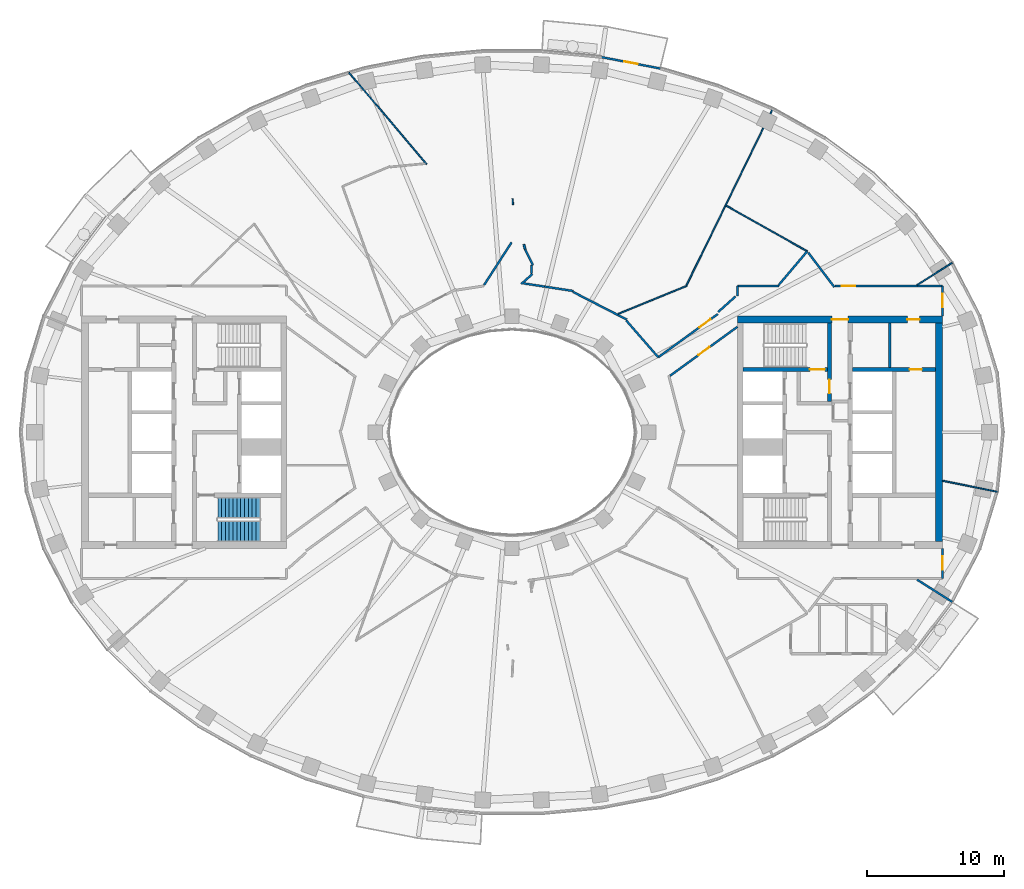
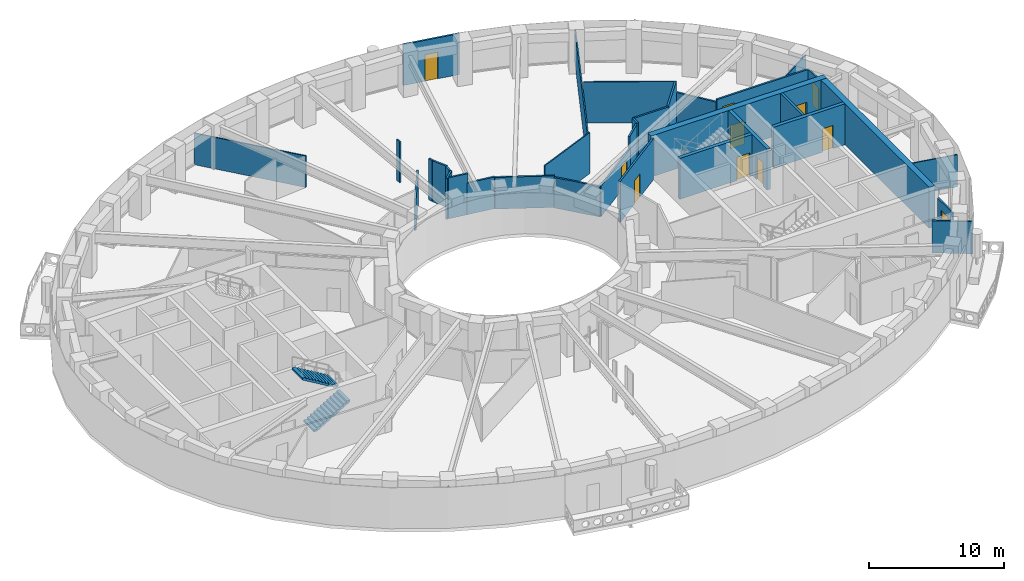
# One storey, part 7 of 17: 34 walls, 11 doors, 2 stair flights, 11 openings, 1 element without a shape of its own.
"""IFC4 building model written with IfcOpenShell, lengths in metres."""

from ifc_helpers import new_model, si_unit, direction, frame, frame_2d, origin, place, context, subcontext, project, spatial, polyline, rectangle, outline, extrude, material, layer, layer_set, type_object, element, fill, aggregate, save


model = new_model("IFC4")

# Units and contexts
model_context = context("Model", 3, precision=1e-05, world=origin(), true_north=direction((0.0, 1.0)))
body_context = subcontext(model_context, "Body", "Model", "MODEL_VIEW")
ifc_project = project(units=[si_unit("LENGTHUNIT", "METRE"), si_unit("AREAUNIT", "SQUARE_METRE"), si_unit("VOLUMEUNIT", "CUBIC_METRE"), si_unit("PLANEANGLEUNIT", "RADIAN"), si_unit("MASSUNIT", "GRAM", prefix="KILO")], contexts=[model_context])

# Site, building, storey
site_placement = place(None, origin())
site = spatial("IfcSite", under=ifc_project, at=site_placement, CompositionType="ELEMENT")
building_placement = place(site_placement, origin())
building = spatial("IfcBuilding", under=site, at=building_placement, Name="Noorbagh Ring Tower", CompositionType="ELEMENT")
storey_placement = place(building_placement, frame((0.0, 0.0, 190.0)))
storey = spatial("IfcBuildingStorey", under=building, at=storey_placement, Name="L44", CompositionType="ELEMENT", Elevation=190.0)

# Wall
ifc_material_1 = material(Name="Gypsum board on steel studs", Category="steel")
ifc_layer_1 = layer(ifc_material_1, 0.199951171875)
ifc_layer_set_1 = layer_set([ifc_layer_1], Name="Gypsum board on steel studs")
wall_type_1 = type_object("IfcWallType", Name="CORE-PARTITION-200", PredefinedType="PARTITIONING", material=ifc_layer_set_1)
wall_1_placement = place(storey_placement, frame((27.64990234375, 4.75, 0.0), z_axis=(0.0, 0.0, 1.0), x_axis=(0.0, 1.0, 0.0)))
element("IfcWall", 1, at=wall_1_placement, inside=storey, type_object=wall_type_1, Name="Core partition E", PredefinedType="PARTITIONING", context=body_context, shape_type="SweptSolid", body=[
    extrude(rectangle(XDim=3.25, YDim=0.199951171875, at=frame_2d((1.625, 0.0))), origin(), (0.0, 0.0, 1.0), 3.699951171875),
])

# Wall, opening, door
ifc_material_2 = material(Name="Concrete C60/75", Category="concrete")
ifc_layer_2 = layer(ifc_material_2, 0.300048828125)
ifc_layer_set_2 = layer_set([ifc_layer_2], Name="Concrete C60/75")
wall_type_2 = type_object("IfcWallType", Name="CORE-WALL-300-C60-75-EI240", PredefinedType="SHEAR", material=ifc_layer_set_2)
wall_2_placement = place(storey_placement, frame((24.89990234375, 4.60009765625, 0.0), z_axis=(0.0, 0.0, 1.0), x_axis=(1.0, 0.0, 0.0)))
wall_2 = element("IfcWall", 2, at=wall_2_placement, inside=storey, type_object=wall_type_2, Name="Core wall E", PredefinedType="SHEAR", context=body_context, shape_type="SweptSolid", body=[
    extrude(rectangle(XDim=6.10009765625, YDim=0.300048828125, at=frame_2d((3.050048828125, 0.0))), origin(), (0.0, 0.0, 1.0), 3.699951171875),
])
opening_1_placement = place(wall_2_placement, frame((4.199951171875, 0.0, 0.0)))
opening_1 = element("IfcOpeningElement", 3, at=opening_1_placement, cuts=wall_2, Name="Opening L44-CE18", PredefinedType="OPENING", context=body_context, shape_type="SweptSolid", body=[
    extrude(rectangle(XDim=0.89990234375, YDim=2.10009765625, at=frame_2d((0.449951171875, 1.050048828125))), frame((0.0, 0.16015625, 0.0), z_axis=(0.0, -1.0, 0.0), x_axis=(1.0, 0.0, 0.0)), (0.0, 0.0, 1.0), 0.320068359375),
])
ifc_material_3 = material(Name="Steel door leaf", Category="steel")
door_type_1 = type_object("IfcDoorType", Name="CORE-DOOR-DROOM", OperationType="SINGLE_SWING_LEFT", PredefinedType="DOOR", material=ifc_material_3)
door_1_placement = place(opening_1_placement, origin())
door_1 = element("IfcDoor", 4, at=door_1_placement, inside=storey, type_object=door_type_1, Name="Core room door L44-CE18", OperationType="SINGLE_SWING_RIGHT", OverallHeight=2.10009765625, OverallWidth=0.89990234375, PredefinedType="DOOR", context=body_context, shape_type="SweptSolid", body=[
    extrude(rectangle(XDim=0.89990234375, YDim=2.10009765625, at=frame_2d((0.449951171875, 1.050048828125))), frame((0.0, 0.02490234375, 0.0), z_axis=(0.0, -1.0, 0.0), x_axis=(1.0, 0.0, 0.0)), (0.0, 0.0, 1.0), 0.050048828125),
])
fill(opening_1, door_1)

wall_3_placement = place(storey_placement, frame((23.22998046875, 2.25, 0.0), z_axis=(0.0, 0.0, 1.0), x_axis=(0.0, 1.0, 0.0)))
wall_3 = element("IfcWall", 5, at=wall_3_placement, inside=storey, type_object=wall_type_2, Name="Core wall E", PredefinedType="SHEAR", context=body_context, shape_type="SweptSolid", body=[
    extrude(rectangle(XDim=5.75, YDim=0.300048828125, at=frame_2d((2.875, 0.0))), origin(), (0.0, 0.0, 1.0), 3.699951171875),
])
opening_2_placement = place(wall_3_placement, frame((0.60009765625, 0.0, 0.0)))
opening_2 = element("IfcOpeningElement", 6, at=opening_2_placement, cuts=wall_3, Name="Opening L44-CE10", PredefinedType="OPENING", context=body_context, shape_type="SweptSolid", body=[
    extrude(rectangle(XDim=1.0, YDim=2.10009765625, at=frame_2d((0.5, 1.050048828125))), frame((0.0, 0.16015625, 0.0), z_axis=(0.0, -1.0, 0.0), x_axis=(1.0, 0.0, 0.0)), (0.0, 0.0, 1.0), 0.320068359375),
])
ifc_material_4 = material(Name="Steel door leaf", Category="steel")
door_type_2 = type_object("IfcDoorType", Name="CORE-DOOR-DVEST", OperationType="SINGLE_SWING_LEFT", PredefinedType="DOOR", material=ifc_material_4)
door_2_placement = place(opening_2_placement, origin())
door_2 = element("IfcDoor", 7, at=door_2_placement, inside=storey, type_object=door_type_2, Name="Stair vestibule door L44-CE10", OperationType="SINGLE_SWING_RIGHT", OverallHeight=2.10009765625, OverallWidth=1.0, PredefinedType="DOOR", context=body_context, shape_type="SweptSolid", body=[
    extrude(rectangle(XDim=1.0, YDim=2.10009765625, at=frame_2d((0.5, 1.050048828125))), frame((0.0, 0.02490234375, 0.0), z_axis=(0.0, -1.0, 0.0), x_axis=(1.0, 0.0, 0.0)), (0.0, 0.0, 1.0), 0.050048828125),
])
fill(opening_2, door_2)

wall_4_placement = place(storey_placement, frame((16.89990234375, 4.60009765625, 0.0), z_axis=(0.0, 0.0, 1.0), x_axis=(1.0, 0.0, 0.0)))
wall_4 = element("IfcWall", 8, at=wall_4_placement, inside=storey, type_object=wall_type_2, Name="Core wall E", PredefinedType="SHEAR", context=body_context, shape_type="SweptSolid", body=[
    extrude(rectangle(XDim=6.18017578125, YDim=0.300048828125, at=frame_2d((3.090087890625, 0.0))), origin(), (0.0, 0.0, 1.0), 3.699951171875),
])
opening_3_placement = place(wall_4_placement, frame((4.89990234375, 0.0, 0.0)))
opening_3 = element("IfcOpeningElement", 9, at=opening_3_placement, cuts=wall_4, Name="Opening L44-CE07", PredefinedType="OPENING", context=body_context, shape_type="SweptSolid", body=[
    extrude(rectangle(XDim=1.10009765625, YDim=2.10009765625, at=frame_2d((0.550048828125, 1.050048828125))), frame((0.0, 0.16015625, 0.0), z_axis=(0.0, -1.0, 0.0), x_axis=(1.0, 0.0, 0.0)), (0.0, 0.0, 1.0), 0.320068359375),
])
ifc_material_5 = material(Name="Steel door leaf", Category="steel")
door_type_3 = type_object("IfcDoorType", Name="CORE-DOOR-DSTAIR", OperationType="SINGLE_SWING_LEFT", PredefinedType="DOOR", material=ifc_material_5)
door_3_placement = place(opening_3_placement, origin())
door_3 = element("IfcDoor", 10, at=door_3_placement, inside=storey, type_object=door_type_3, Name="Stair door ST3 L44-CE07", OperationType="SINGLE_SWING_LEFT", OverallHeight=2.10009765625, OverallWidth=1.10009765625, PredefinedType="DOOR", context=body_context, shape_type="SweptSolid", body=[
    extrude(rectangle(XDim=1.10009765625, YDim=2.10009765625, at=frame_2d((0.550048828125, 1.050048828125))), frame((0.0, 0.02490234375, 0.0), z_axis=(0.0, -1.0, 0.0), x_axis=(1.0, 0.0, 0.0)), (0.0, 0.0, 1.0), 0.050048828125),
])
fill(opening_3, door_3)

# Wall, openings, doors
ifc_material_6 = material(Name="Concrete C60/75", Category="concrete")
ifc_layer_3 = layer(ifc_material_6, 0.5)
ifc_layer_set_3 = layer_set([ifc_layer_3], Name="Concrete C60/75")
wall_type_3 = type_object("IfcWallType", Name="CORE-WALL-500-C60-75-EI240", PredefinedType="SHEAR", material=ifc_layer_set_3)
wall_5_placement = place(storey_placement, frame((16.5, 8.25, 0.0), z_axis=(0.0, 0.0, 1.0), x_axis=(1.0, 0.0, 0.0)))
wall_5 = element("IfcWall", 11, at=wall_5_placement, inside=storey, type_object=wall_type_3, Name="Core wall E", PredefinedType="SHEAR", context=body_context, shape_type="SweptSolid", body=[
    extrude(rectangle(XDim=15.0, YDim=0.5, at=frame_2d((7.5, 0.0))), origin(), (0.0, 0.0, 1.0), 3.699951171875),
])
opening_4_placement = place(wall_5_placement, frame((6.89990234375, 0.0, 0.0)))
opening_4 = element("IfcOpeningElement", 12, at=opening_4_placement, cuts=wall_5, Name="Opening L44-CE11", PredefinedType="OPENING", context=body_context, shape_type="SweptSolid", body=[
    extrude(rectangle(XDim=1.199951171875, YDim=2.10009765625, at=frame_2d((0.60009765625, 1.050048828125))), frame((0.0, 0.260009765625, 0.0), z_axis=(0.0, -1.0, 0.0), x_axis=(1.0, 0.0, 0.0)), (0.0, 0.0, 1.0), 0.52001953125),
])
opening_5_placement = place(wall_5_placement, frame((12.425048828125, 0.0, 0.0)))
opening_5 = element("IfcOpeningElement", 13, at=opening_5_placement, cuts=wall_5, Name="Opening L44-CE14", PredefinedType="OPENING", context=body_context, shape_type="SweptSolid", body=[
    extrude(rectangle(XDim=0.89990234375, YDim=2.10009765625, at=frame_2d((0.449951171875, 1.050048828125))), frame((0.0, 0.260009765625, 0.0), z_axis=(0.0, -1.0, 0.0), x_axis=(1.0, 0.0, 0.0)), (0.0, 0.0, 1.0), 0.52001953125),
])
door_4_placement = place(opening_5_placement, origin())
door_4 = element("IfcDoor", 14, at=door_4_placement, inside=storey, type_object=door_type_1, Name="Core room door L44-CE14", OperationType="SINGLE_SWING_LEFT", OverallHeight=2.10009765625, OverallWidth=0.89990234375, PredefinedType="DOOR", context=body_context, shape_type="SweptSolid", body=[
    extrude(rectangle(XDim=0.89990234375, YDim=2.10009765625, at=frame_2d((0.449951171875, 1.050048828125))), frame((0.0, 0.02490234375, 0.0), z_axis=(0.0, -1.0, 0.0), x_axis=(1.0, 0.0, 0.0)), (0.0, 0.0, 1.0), 0.050048828125),
])
fill(opening_5, door_4)
ifc_material_7 = material(Name="Steel door leaf", Category="steel")
door_type_4 = type_object("IfcDoorType", Name="CORE-DOOR-PORT", OperationType="DOUBLE_DOOR_DOUBLE_SWING", PredefinedType="DOOR", material=ifc_material_7)
door_5_placement = place(opening_4_placement, origin())
door_5 = element("IfcDoor", 15, at=door_5_placement, inside=storey, type_object=door_type_4, Name="Core entrance door L44-CE11", OperationType="DOUBLE_DOOR_DOUBLE_SWING", OverallHeight=2.10009765625, OverallWidth=1.199951171875, PredefinedType="DOOR", context=body_context, shape_type="SweptSolid", body=[
    extrude(rectangle(XDim=1.199951171875, YDim=2.10009765625, at=frame_2d((0.60009765625, 1.050048828125))), frame((0.0, 0.02490234375, 0.0), z_axis=(0.0, -1.0, 0.0), x_axis=(1.0, 0.0, 0.0)), (0.0, 0.0, 1.0), 0.050048828125),
])
fill(opening_4, door_5)

# Walls
wall_6_placement = place(storey_placement, frame((31.25, -8.0, 0.0), z_axis=(0.0, 0.0, 1.0), x_axis=(0.0, 1.0, 0.0)))
element("IfcWall", 16, at=wall_6_placement, inside=storey, type_object=wall_type_3, Name="Core wall E", PredefinedType="SHEAR", context=body_context, shape_type="SweptSolid", body=[
    extrude(rectangle(XDim=16.0, YDim=0.5, at=frame_2d((8.0, 0.0))), origin(), (0.0, 0.0, 1.0), 3.699951171875),
])
ifc_material_8 = material(Name="Gypsum board on steel studs", Category="steel")
ifc_layer_4 = layer(ifc_material_8, 0.14990234375)
ifc_layer_set_4 = layer_set([ifc_layer_4], Name="Gypsum board on steel studs")
wall_type_4 = type_object("IfcWallType", Name="CORRIDOR PARTITION 150 EI 30", PredefinedType="PARTITIONING", material=ifc_layer_set_4)
wall_7_placement = place(storey_placement, frame((-2.0439453125, 10.780029296875, 0.0), z_axis=(0.0, 0.0, 1.0), x_axis=(0.542215200434, 0.840239654157, 0.0)))
element("IfcWall", 17, at=wall_7_placement, inside=storey, type_object=wall_type_4, Name="L44/wall/P30", PredefinedType="PARTITIONING", context=body_context, shape_type="SweptSolid", body=[
    extrude(rectangle(XDim=3.71435546875, YDim=0.14990234375, at=frame_2d((1.857177734375, 0.0))), origin(), (0.0, 0.0, 1.0), 2.85009765625),
])
wall_8_placement = place(storey_placement, frame((0.673095703125, 10.85400390625, 0.0), z_axis=(0.0, 0.0, 1.0), x_axis=(0.748534116479, 0.663096279937, 0.0)))
element("IfcWall", 18, at=wall_8_placement, inside=storey, type_object=wall_type_4, Name="L44/wall/P37", PredefinedType="PARTITIONING", context=body_context, shape_type="SweptSolid", body=[
    extrude(rectangle(XDim=1.088623046875, YDim=0.14990234375, at=frame_2d((0.54443359375, 0.0))), origin(), (0.0, 0.0, 1.0), 3.699951171875),
])
wall_9_placement = place(storey_placement, frame((0.844970703125, 10.89990234375, 0.0), z_axis=(0.0, 0.0, 1.0), x_axis=(0.988539396125, -0.15096311572, 0.0)))
element("IfcWall", 19, at=wall_9_placement, inside=storey, type_object=wall_type_4, Name="L44/wall/P38", PredefinedType="PARTITIONING", context=body_context, shape_type="SweptSolid", body=[
    extrude(rectangle(XDim=1.542724609375, YDim=0.14990234375, at=frame_2d((0.771484375, 0.0))), origin(), (0.0, 0.0, 1.0), 3.699951171875),
])
wall_10_placement = place(storey_placement, frame((0.875, 13.7509765625, 0.0), z_axis=(0.0, 0.0, 1.0), x_axis=(0.239631306226, -0.970863964249, 0.0)))
element("IfcWall", 20, at=wall_10_placement, inside=storey, type_object=wall_type_4, Name="L44/wall/P39", PredefinedType="PARTITIONING", context=body_context, shape_type="SweptSolid", body=[
    extrude(rectangle(XDim=0.3759765625, YDim=0.14990234375, at=frame_2d((0.18798828125, 0.0))), origin(), (0.0, 0.0, 1.0), 3.699951171875),
])
wall_11_placement = place(storey_placement, frame((0.97705078125, 13.35302734375, 0.0), z_axis=(0.0, 0.0, 1.0), x_axis=(0.439698529064, -0.898145424494, 0.0)))
element("IfcWall", 21, at=wall_11_placement, inside=storey, type_object=wall_type_4, Name="L44/wall/P40", PredefinedType="PARTITIONING", context=body_context, shape_type="SweptSolid", body=[
    extrude(rectangle(XDim=1.237060546875, YDim=0.14990234375, at=frame_2d((0.61865234375, 0.0))), origin(), (0.0, 0.0, 1.0), 3.699951171875),
])
wall_12_placement = place(storey_placement, frame((1.416015625, 11.612060546875, 0.0), z_axis=(0.0, 0.0, 1.0), x_axis=(0.047263226181, 0.998882469288, 0.0)))
element("IfcWall", 22, at=wall_12_placement, inside=storey, type_object=wall_type_4, Name="L44/wall/P43", PredefinedType="PARTITIONING", context=body_context, shape_type="SweptSolid", body=[
    extrude(rectangle(XDim=0.61474609375, YDim=0.14990234375, at=frame_2d((0.307373046875, 0.0))), origin(), (0.0, 0.0, 1.0), 3.699951171875),
])
wall_13_placement = place(storey_placement, frame((2.277099609375, 10.680908203125, 0.0), z_axis=(0.0, 0.0, 1.0), x_axis=(0.988505563548, -0.151184492707, 0.0)))
element("IfcWall", 23, at=wall_13_placement, inside=storey, type_object=wall_type_4, Name="L44/wall/P46", PredefinedType="PARTITIONING", context=body_context, shape_type="SweptSolid", body=[
    extrude(rectangle(XDim=2.228515625, YDim=0.14990234375, at=frame_2d((1.1142578125, 0.0))), origin(), (0.0, 0.0, 1.0), 2.85009765625),
])
wall_14_placement = place(storey_placement, frame((4.458984375, 10.278076171875, 0.0), z_axis=(0.0, 0.0, 1.0), x_axis=(0.889360097773, -0.457207410799, 0.0)))
element("IfcWall", 24, at=wall_14_placement, inside=storey, type_object=wall_type_4, Name="L44/wall/P48", PredefinedType="PARTITIONING", context=body_context, shape_type="SweptSolid", body=[
    extrude(rectangle(XDim=4.43359375, YDim=0.14990234375, at=frame_2d((2.216796875, 0.0))), origin(), (0.0, 0.0, 1.0), 2.85009765625),
])
wall_15_placement = place(storey_placement, frame((8.35498046875, 8.18994140625, 0.0), z_axis=(0.0, 0.0, 1.0), x_axis=(0.656332459324, -0.754471803871, 0.0)))
element("IfcWall", 25, at=wall_15_placement, inside=storey, type_object=wall_type_4, Name="L44/wall/P52", PredefinedType="PARTITIONING", context=body_context, shape_type="SweptSolid", body=[
    extrude(rectangle(XDim=3.577392578125, YDim=0.14990234375, at=frame_2d((1.78857421875, 0.0))), origin(), (0.0, 0.0, 1.0), 2.75),
])

# Wall, opening, door
wall_16_placement = place(storey_placement, frame((10.702880859375, 5.490966796875, 0.0), z_axis=(0.0, 0.0, 1.0), x_axis=(0.808838005268, 0.588031530816, 0.0)))
wall_16 = element("IfcWall", 26, at=wall_16_placement, inside=storey, type_object=wall_type_4, Name="L44/wall/P54", PredefinedType="PARTITIONING", context=body_context, shape_type="SweptSolid", body=[
    extrude(rectangle(XDim=5.3857421875, YDim=0.14990234375, at=frame_2d((2.69287109375, 0.0))), origin(), (0.0, 0.0, 1.0), 2.75),
])
opening_6_placement = place(wall_16_placement, frame((3.735595703125, 0.0, 0.0)))
opening_6 = element("IfcOpeningElement", 27, at=opening_6_placement, cuts=wall_16, Name="Opening D1", PredefinedType="OPENING", context=body_context, shape_type="SweptSolid", body=[
    extrude(rectangle(XDim=1.0, YDim=2.10009765625, at=frame_2d((0.5, 1.050048828125))), frame((0.0, 0.0849609375, 0.0), z_axis=(0.0, -1.0, 0.0), x_axis=(1.0, 0.0, 0.0)), (0.0, 0.0, 1.0), 0.169921875),
])
ifc_material_9 = material(Name="Timber, painted", Category="wood")
door_type_5 = type_object("IfcDoorType", Name="DOOR 1000 X 2100 FD30", OperationType="SINGLE_SWING_LEFT", PredefinedType="DOOR", material=ifc_material_9)
door_6_placement = place(opening_6_placement, origin())
door_6 = element("IfcDoor", 28, at=door_6_placement, inside=storey, type_object=door_type_5, Name="L44-D13", OperationType="SINGLE_SWING_LEFT", OverallHeight=2.10009765625, OverallWidth=1.0, PredefinedType="DOOR", context=body_context, shape_type="SweptSolid", body=[
    extrude(rectangle(XDim=1.0, YDim=2.10009765625, at=frame_2d((0.5, 1.050048828125))), frame((0.0, 0.02490234375, 0.0), z_axis=(0.0, -1.0, 0.0), x_axis=(1.0, 0.0, 0.0)), (0.0, 0.0, 1.0), 0.050048828125),
])
fill(opening_6, door_6)

wall_17_placement = place(storey_placement, frame((11.555908203125, 4.133056640625, 0.0), z_axis=(0.0, 0.0, 1.0), x_axis=(0.808869060288, 0.587988812231, 0.0)))
wall_17 = element("IfcWall", 29, at=wall_17_placement, inside=storey, type_object=wall_type_4, Name="L44/wall/P58", PredefinedType="PARTITIONING", context=body_context, shape_type="SweptSolid", body=[
    extrude(rectangle(XDim=6.1123046875, YDim=0.14990234375, at=frame_2d((3.05615234375, 0.0))), origin(), (0.0, 0.0, 1.0), 3.699951171875),
])
opening_7_placement = place(wall_17_placement, frame((2.56982421875, 0.0, 0.0)))
opening_7 = element("IfcOpeningElement", 30, at=opening_7_placement, cuts=wall_17, Name="Opening D1", PredefinedType="OPENING", context=body_context, shape_type="SweptSolid", body=[
    extrude(rectangle(XDim=1.0, YDim=2.10009765625, at=frame_2d((0.5, 1.050048828125))), frame((0.0, 0.0849609375, 0.0), z_axis=(0.0, -1.0, 0.0), x_axis=(1.0, 0.0, 0.0)), (0.0, 0.0, 1.0), 0.169921875),
])
door_7_placement = place(opening_7_placement, origin())
door_7 = element("IfcDoor", 31, at=door_7_placement, inside=storey, type_object=door_type_5, Name="L44-D20", OperationType="SINGLE_SWING_RIGHT", OverallHeight=2.10009765625, OverallWidth=1.0, PredefinedType="DOOR", context=body_context, shape_type="SweptSolid", body=[
    extrude(rectangle(XDim=1.0, YDim=2.10009765625, at=frame_2d((0.5, 1.050048828125))), frame((0.0, 0.02490234375, 0.0), z_axis=(0.0, -1.0, 0.0), x_axis=(1.0, 0.0, 0.0)), (0.0, 0.0, 1.0), 0.050048828125),
])
fill(opening_7, door_7)

# Walls
wall_18_placement = place(storey_placement, frame((16.5, 9.964111328125, 0.0), z_axis=(0.0, 0.0, 1.0), x_axis=(0.0, 1.0, 0.0)))
element("IfcWall", 32, at=wall_18_placement, inside=storey, type_object=wall_type_4, Name="L44/wall/P66", PredefinedType="PARTITIONING", context=body_context, shape_type="SweptSolid", body=[
    extrude(rectangle(XDim=0.73583984375, YDim=0.14990234375, at=frame_2d((0.367919921875, 0.0))), origin(), (0.0, 0.0, 1.0), 3.699951171875),
])
wall_19_placement = place(storey_placement, frame((16.5, 10.699951171875, 0.0), z_axis=(0.0, 0.0, 1.0), x_axis=(1.0, 0.0, 0.0)))
element("IfcWall", 33, at=wall_19_placement, inside=storey, type_object=wall_type_4, Name="L44/wall/P67", PredefinedType="PARTITIONING", context=body_context, shape_type="SweptSolid", body=[
    extrude(rectangle(XDim=3.04296875, YDim=0.14990234375, at=frame_2d((1.521484375, 0.0))), origin(), (0.0, 0.0, 1.0), 3.699951171875),
])
wall_20_placement = place(storey_placement, frame((19.510986328125, 10.778076171875, 0.0), z_axis=(0.0, 0.0, 1.0), x_axis=(0.646314086505, 0.763071491792, 0.0)))
element("IfcWall", 34, at=wall_20_placement, inside=storey, type_object=wall_type_4, Name="L44/wall/P69", PredefinedType="PARTITIONING", context=body_context, shape_type="SweptSolid", body=[
    extrude(rectangle(XDim=3.23681640625, YDim=0.14990234375, at=frame_2d((1.618408203125, 0.0))), origin(), (0.0, 0.0, 1.0), 3.699951171875),
])
wall_21_placement = place(storey_placement, frame((21.678955078125, 13.14794921875, 0.0), z_axis=(0.0, 0.0, 1.0), x_axis=(0.602984875358, -0.797752618353, 0.0)))
element("IfcWall", 35, at=wall_21_placement, inside=storey, type_object=wall_type_4, Name="L44/wall/P73", PredefinedType="PARTITIONING", context=body_context, shape_type="SweptSolid", body=[
    extrude(rectangle(XDim=3.16259765625, YDim=0.14990234375, at=frame_2d((1.581298828125, 0.0))), origin(), (0.0, 0.0, 1.0), 2.75),
])

# Wall, opening, door
wall_22_placement = place(storey_placement, frame((23.623046875, 10.699951171875, 0.0), z_axis=(0.0, 0.0, 1.0), x_axis=(1.0, 0.0, 0.0)))
wall_22 = element("IfcWall", 36, at=wall_22_placement, inside=storey, type_object=wall_type_4, Name="L44/wall/P77", PredefinedType="PARTITIONING", context=body_context, shape_type="SweptSolid", body=[
    extrude(rectangle(XDim=7.876953125, YDim=0.14990234375, at=frame_2d((3.9384765625, 0.0))), origin(), (0.0, 0.0, 1.0), 2.89990234375),
])
opening_8_placement = place(wall_22_placement, frame((0.498046875, 0.0, 0.0)))
opening_8 = element("IfcOpeningElement", 37, at=opening_8_placement, cuts=wall_22, Name="Opening D1", PredefinedType="OPENING", context=body_context, shape_type="SweptSolid", body=[
    extrude(rectangle(XDim=1.0, YDim=2.10009765625, at=frame_2d((0.5, 1.050048828125))), frame((0.0, 0.0849609375, 0.0), z_axis=(0.0, -1.0, 0.0), x_axis=(1.0, 0.0, 0.0)), (0.0, 0.0, 1.0), 0.169921875),
])
door_8_placement = place(opening_8_placement, origin())
door_8 = element("IfcDoor", 38, at=door_8_placement, inside=storey, type_object=door_type_5, Name="L44-D14", OperationType="SINGLE_SWING_RIGHT", OverallHeight=2.10009765625, OverallWidth=1.0, PredefinedType="DOOR", context=body_context, shape_type="SweptSolid", body=[
    extrude(rectangle(XDim=1.0, YDim=2.10009765625, at=frame_2d((0.5, 1.050048828125))), frame((0.0, 0.02490234375, 0.0), z_axis=(0.0, -1.0, 0.0), x_axis=(1.0, 0.0, 0.0)), (0.0, 0.0, 1.0), 0.050048828125),
])
fill(opening_8, door_8)

# Wall
wall_23_placement = place(storey_placement, frame((29.636962890625, -10.777099609375, 0.0), z_axis=(0.0, 0.0, 1.0), x_axis=(0.844810627195, -0.535065420467, 0.0)))
element("IfcWall", 39, at=wall_23_placement, inside=storey, type_object=wall_type_4, Name="L44/wall/P83", PredefinedType="PARTITIONING", context=body_context, shape_type="SweptSolid", body=[
    extrude(rectangle(XDim=3.0478515625, YDim=0.14990234375, at=frame_2d((1.52392578125, 0.0))), origin(), (0.0, 0.0, 1.0), 2.89990234375),
])

# Wall, opening, door
wall_24_placement = place(storey_placement, frame((31.5, -10.699951171875, 0.0), z_axis=(0.0, 0.0, 1.0), x_axis=(0.0, 1.0, 0.0)))
wall_24 = element("IfcWall", 40, at=wall_24_placement, inside=storey, type_object=wall_type_4, Name="L44/wall/P85", PredefinedType="PARTITIONING", context=body_context, shape_type="SweptSolid", body=[
    extrude(rectangle(XDim=2.199951171875, YDim=0.14990234375, at=frame_2d((1.10009765625, 0.0))), origin(), (0.0, 0.0, 1.0), 2.89990234375),
])
opening_9_placement = place(wall_24_placement, frame((0.64990234375, 0.0, 0.0)))
opening_9 = element("IfcOpeningElement", 41, at=opening_9_placement, cuts=wall_24, Name="Opening D1", PredefinedType="OPENING", context=body_context, shape_type="SweptSolid", body=[
    extrude(rectangle(XDim=1.0, YDim=2.10009765625, at=frame_2d((0.5, 1.050048828125))), frame((0.0, 0.0849609375, 0.0), z_axis=(0.0, -1.0, 0.0), x_axis=(1.0, 0.0, 0.0)), (0.0, 0.0, 1.0), 0.169921875),
])
door_9_placement = place(opening_9_placement, origin())
door_9 = element("IfcDoor", 42, at=door_9_placement, inside=storey, type_object=door_type_5, Name="L44-D15", OperationType="SINGLE_SWING_LEFT", OverallHeight=2.10009765625, OverallWidth=1.0, PredefinedType="DOOR", context=body_context, shape_type="SweptSolid", body=[
    extrude(rectangle(XDim=1.0, YDim=2.10009765625, at=frame_2d((0.5, 1.050048828125))), frame((0.0, 0.02490234375, 0.0), z_axis=(0.0, -1.0, 0.0), x_axis=(1.0, 0.0, 0.0)), (0.0, 0.0, 1.0), 0.050048828125),
])
fill(opening_9, door_9)

wall_25_placement = place(storey_placement, frame((31.5, 8.5, 0.0), z_axis=(0.0, 0.0, 1.0), x_axis=(0.0, 1.0, 0.0)))
wall_25 = element("IfcWall", 43, at=wall_25_placement, inside=storey, type_object=wall_type_4, Name="L44/wall/P87", PredefinedType="PARTITIONING", context=body_context, shape_type="SweptSolid", body=[
    extrude(rectangle(XDim=2.199951171875, YDim=0.14990234375, at=frame_2d((1.10009765625, 0.0))), origin(), (0.0, 0.0, 1.0), 2.89990234375),
])
opening_10_placement = place(wall_25_placement, frame((0.64990234375, 0.0, 0.0)))
opening_10 = element("IfcOpeningElement", 44, at=opening_10_placement, cuts=wall_25, Name="Opening D1", PredefinedType="OPENING", context=body_context, shape_type="SweptSolid", body=[
    extrude(rectangle(XDim=1.0, YDim=2.10009765625, at=frame_2d((0.5, 1.050048828125))), frame((0.0, 0.0849609375, 0.0), z_axis=(0.0, -1.0, 0.0), x_axis=(1.0, 0.0, 0.0)), (0.0, 0.0, 1.0), 0.169921875),
])
door_10_placement = place(opening_10_placement, origin())
door_10 = element("IfcDoor", 45, at=door_10_placement, inside=storey, type_object=door_type_5, Name="L44-D16", OperationType="SINGLE_SWING_RIGHT", OverallHeight=2.10009765625, OverallWidth=1.0, PredefinedType="DOOR", context=body_context, shape_type="SweptSolid", body=[
    extrude(rectangle(XDim=1.0, YDim=2.10009765625, at=frame_2d((0.5, 1.050048828125))), frame((0.0, 0.02490234375, 0.0), z_axis=(0.0, -1.0, 0.0), x_axis=(1.0, 0.0, 0.0)), (0.0, 0.0, 1.0), 0.050048828125),
])
fill(opening_10, door_10)

# Wall
wall_26_placement = place(storey_placement, frame((15.083984375, 8.805908203125, 0.0), z_axis=(0.0, 0.0, 1.0), x_axis=(0.744832366149, 0.667251636444, 0.0)))
element("IfcWall", 46, at=wall_26_placement, inside=storey, type_object=wall_type_4, Name="L44/wall/P91", PredefinedType="PARTITIONING", context=body_context, shape_type="SweptSolid", body=[
    extrude(rectangle(XDim=1.702392578125, YDim=0.14990234375, at=frame_2d((0.85107421875, 0.0))), origin(), (0.0, 0.0, 1.0), 3.699951171875),
])

# Wall, opening, door
ifc_material_10 = material(Name="Insulated aluminium clad panel", Category="aluminium")
ifc_layer_5 = layer(ifc_material_10, 0.14990234375)
ifc_layer_set_5 = layer_set([ifc_layer_5], Name="Insulated aluminium clad panel")
wall_type_5 = type_object("IfcWallType", Name="ENV-WALL-DOOR", PredefinedType="STANDARD", material=ifc_layer_set_5)
wall_27_placement = place(storey_placement, frame((10.87060546875, 26.616943359375, 0.0), z_axis=(0.0, 0.0, 1.0), x_axis=(-0.981631174778, 0.190788460615, 0.0)))
wall_27 = element("IfcWall", 47, at=wall_27_placement, inside=storey, type_object=wall_type_5, Name="Balcony door wall chord 10", PredefinedType="STANDARD", context=body_context, shape_type="SweptSolid", body=[
    extrude(rectangle(XDim=4.42626953125, YDim=0.14990234375, at=frame_2d((2.213134765625, 0.0))), origin(), (0.0, 0.0, 1.0), 3.699951171875),
])
opening_11_placement = place(wall_27_placement, frame((1.713134765625, 0.0, 0.0)))
opening_11 = element("IfcOpeningElement", 48, at=opening_11_placement, cuts=wall_27, Name="Opening D-BL", PredefinedType="OPENING", context=body_context, shape_type="SweptSolid", body=[
    extrude(rectangle(XDim=1.0, YDim=2.39990234375, at=frame_2d((0.5, 1.199951171875))), frame((0.0, 0.0849609375, 0.0), z_axis=(0.0, -1.0, 0.0), x_axis=(1.0, 0.0, 0.0)), (0.0, 0.0, 1.0), 0.169921875),
])
ifc_material_11 = material(Name="Aluminium and glass", Category="aluminium")
door_type_6 = type_object("IfcDoorType", Name="ENV-DOOR-BALCONY", OperationType="SINGLE_SWING_LEFT", PredefinedType="DOOR", material=ifc_material_11)
door_11_placement = place(opening_11_placement, origin())
door_11 = element("IfcDoor", 49, at=door_11_placement, inside=storey, type_object=door_type_6, Name="Balcony door chord 10", OperationType="SINGLE_SWING_LEFT", OverallHeight=2.39990234375, OverallWidth=1.0, PredefinedType="DOOR", context=body_context, shape_type="SweptSolid", body=[
    extrude(rectangle(XDim=1.0, YDim=2.39990234375, at=frame_2d((0.5, 1.199951171875))), frame((0.0, 0.02490234375, 0.0), z_axis=(0.0, -1.0, 0.0), x_axis=(1.0, 0.0, 0.0)), (0.0, 0.0, 1.0), 0.050048828125),
])
fill(opening_11, door_11)

# Walls
ifc_material_12 = material(Name="Gypsum board on steel studs", Category="steel")
ifc_layer_6 = layer(ifc_material_12, 0.10009765625)
ifc_layer_set_6 = layer_set([ifc_layer_6], Name="Gypsum board on steel studs")
wall_type_6 = type_object("IfcWallType", Name="PARTITION 100 GYPSUM", PredefinedType="PARTITIONING", material=ifc_layer_set_6)
wall_28_placement = place(storey_placement, frame((-11.925048828125, 26.322998046875, 0.0), z_axis=(0.0, 0.0, 1.0), x_axis=(0.646450651597, -0.762955801505, 0.0)))
element("IfcWall", 50, at=wall_28_placement, inside=storey, type_object=wall_type_6, Name="L44/wall/P20", PredefinedType="PARTITIONING", context=body_context, shape_type="SweptSolid", body=[
    extrude(rectangle(XDim=8.7802734375, YDim=0.10009765625, at=frame_2d((4.39013671875, 0.0))), origin(), (0.0, 0.0, 1.0), 2.85009765625),
])
wall_29_placement = place(storey_placement, frame((0.049072265625, 17.0810546875, 0.0), z_axis=(0.0, 0.0, 1.0), x_axis=(0.047263912187, -0.998882436829, 0.0)))
element("IfcWall", 51, at=wall_29_placement, inside=storey, type_object=wall_type_6, Name="L44/wall/P36", PredefinedType="PARTITIONING", context=body_context, shape_type="SweptSolid", body=[
    extrude(rectangle(XDim=0.423583984375, YDim=0.10009765625, at=frame_2d((0.2119140625, 0.0))), origin(), (0.0, 0.0, 1.0), 3.699951171875),
])
wall_30_placement = place(storey_placement, frame((7.764892578125, 8.662109375, 0.0), z_axis=(0.0, 0.0, 1.0), x_axis=(0.92549839732, 0.378751523506, 0.0)))
element("IfcWall", 52, at=wall_30_placement, inside=storey, type_object=wall_type_6, Name="L44/wall/P50", PredefinedType="PARTITIONING", context=body_context, shape_type="SweptSolid", body=[
    extrude(rectangle(XDim=5.44677734375, YDim=0.10009765625, at=frame_2d((2.723388671875, 0.0))), origin(), (0.0, 0.0, 1.0), 3.699951171875),
])
wall_31_placement = place(storey_placement, frame((12.76904296875, 10.764892578125, 0.0), z_axis=(0.0, 0.0, 1.0), x_axis=(0.439230835686, 0.898374238824, 0.0)))
element("IfcWall", 53, at=wall_31_placement, inside=storey, type_object=wall_type_6, Name="L44/wall/P61", PredefinedType="PARTITIONING", context=body_context, shape_type="SweptSolid", body=[
    extrude(rectangle(XDim=14.3818359375, YDim=0.10009765625, at=frame_2d((7.19091796875, 0.0))), origin(), (0.0, 0.0, 1.0), 2.89990234375),
])
wall_32_placement = place(storey_placement, frame((15.673095703125, 16.589111328125, 0.0), z_axis=(0.0, 0.0, 1.0), x_axis=(0.871231423664, -0.490872495074, 0.0)))
element("IfcWall", 54, at=wall_32_placement, inside=storey, type_object=wall_type_6, Name="L44/wall/P63", PredefinedType="PARTITIONING", context=body_context, shape_type="SweptSolid", body=[
    extrude(rectangle(XDim=6.806396484375, YDim=0.10009765625, at=frame_2d((3.4033203125, 0.0))), origin(), (0.0, 0.0, 1.0), 3.699951171875),
])
wall_33_placement = place(storey_placement, frame((29.636962890625, 10.777099609375, 0.0), z_axis=(0.0, 0.0, 1.0), x_axis=(0.844810627195, 0.535065420467, 0.0)))
element("IfcWall", 55, at=wall_33_placement, inside=storey, type_object=wall_type_6, Name="L44/wall/P84", PredefinedType="PARTITIONING", context=body_context, shape_type="SweptSolid", body=[
    extrude(rectangle(XDim=3.0478515625, YDim=0.10009765625, at=frame_2d((1.52392578125, 0.0))), origin(), (0.0, 0.0, 1.0), 2.89990234375),
])
wall_34_placement = place(storey_placement, frame((31.5, -3.5419921875, 0.0), z_axis=(0.0, 0.0, 1.0), x_axis=(0.980357474535, -0.197228857227, 0.0)))
element("IfcWall", 56, at=wall_34_placement, inside=storey, type_object=wall_type_6, Name="L44/wall/P86", PredefinedType="PARTITIONING", context=body_context, shape_type="SweptSolid", body=[
    extrude(rectangle(XDim=4.09228515625, YDim=0.10009765625, at=frame_2d((2.046142578125, 0.0))), origin(), (0.0, 0.0, 1.0), 2.89990234375),
])

# Stair, stair flights
ifc_material_13 = material(Name="Concrete C40/50", Category="concrete")
stair_type = type_object("IfcStairType", Name="CORE-STAIR", PredefinedType="HALF_TURN_STAIR", material=ifc_material_13)
stair_placement = place(storey_placement, origin())
stair = element("IfcStair", 57, at=stair_placement, inside=storey, type_object=stair_type, Name="L44 Exit stair ST2", PredefinedType="HALF_TURN_STAIR")
ifc_material_14 = material(Name="Concrete C40/50", Category="concrete")
stair_flight_type = type_object("IfcStairFlightType", Name="CORE-STAIR-FLIGHT", PredefinedType="STRAIGHT", material=ifc_material_14)
stair_flight_1_placement = place(storey_placement, frame((-21.530029296875, -7.22509765625, 0.0), z_axis=(0.0, 0.0, 1.0), x_axis=(1.0, 0.0, 0.0)))
stair_flight_1 = element("IfcStairFlight", 58, at=stair_flight_1_placement, type_object=stair_flight_type, Name="ST2 flight 1", NumberOfRisers=12, NumberOfTreads=11, PredefinedType="STRAIGHT", RiserHeight=0.166666667, TreadLength=0.28, context=body_context, shape_type="SweptSolid", body=[
    extrude(outline(polyline([(0.0, 0.0), (0.0, 0.166748046875), (0.280029296875, 0.166748046875), (0.280029296875, 0.333251953125), (0.56005859375, 0.333251953125), (0.56005859375, 0.5), (0.840087890625, 0.5), (0.840087890625, 0.666748046875), (1.1201171875, 0.666748046875), (1.1201171875, 0.833251953125), (1.39990234375, 0.833251953125), (1.39990234375, 1.0), (1.679931640625, 1.0), (1.679931640625, 1.166748046875), (1.9599609375, 1.166748046875), (1.9599609375, 1.333251953125), (2.239990234375, 1.333251953125), (2.239990234375, 1.5), (2.52001953125, 1.5), (2.52001953125, 1.666748046875), (2.800048828125, 1.666748046875), (2.800048828125, 1.833251953125), (3.080078125, 1.833251953125), (3.080078125, 2.0), (3.080078125, 1.658935546875), (0.29296875, 0.0), (0.0, 0.0)])), frame((0.0, 0.77490234375, 0.0), z_axis=(0.0, -1.0, 0.0), x_axis=(1.0, 0.0, 0.0)), (0.0, 0.0, 1.0), 1.550048828125),
])
stair_flight_2_placement = place(storey_placement, frame((-18.449951171875, -5.52490234375, 2.0), z_axis=(0.0, 0.0, 1.0), x_axis=(-1.0, 0.0, 0.0)))
stair_flight_2 = element("IfcStairFlight", 59, at=stair_flight_2_placement, type_object=stair_flight_type, Name="ST2 flight 2", NumberOfRisers=12, NumberOfTreads=11, PredefinedType="STRAIGHT", RiserHeight=0.166666667, TreadLength=0.28, context=body_context, shape_type="SweptSolid", body=[
    extrude(outline(polyline([(0.0, 0.0), (0.0, 0.166748046875), (0.280029296875, 0.166748046875), (0.280029296875, 0.333251953125), (0.56005859375, 0.333251953125), (0.56005859375, 0.5), (0.840087890625, 0.5), (0.840087890625, 0.666748046875), (1.1201171875, 0.666748046875), (1.1201171875, 0.833251953125), (1.39990234375, 0.833251953125), (1.39990234375, 1.0), (1.679931640625, 1.0), (1.679931640625, 1.166748046875), (1.9599609375, 1.166748046875), (1.9599609375, 1.333251953125), (2.239990234375, 1.333251953125), (2.239990234375, 1.5), (2.52001953125, 1.5), (2.52001953125, 1.666748046875), (2.800048828125, 1.666748046875), (2.800048828125, 1.833251953125), (3.080078125, 1.833251953125), (3.080078125, 2.0), (3.080078125, 1.658935546875), (0.29296875, 0.0), (0.0, 0.0)])), frame((0.0, 0.77490234375, 0.0), z_axis=(0.0, -1.0, 0.0), x_axis=(1.0, 0.0, 0.0)), (0.0, 0.0, 1.0), 1.550048828125),
])
aggregate(stair, [stair_flight_1, stair_flight_2])

save(model, "model.ifc")
